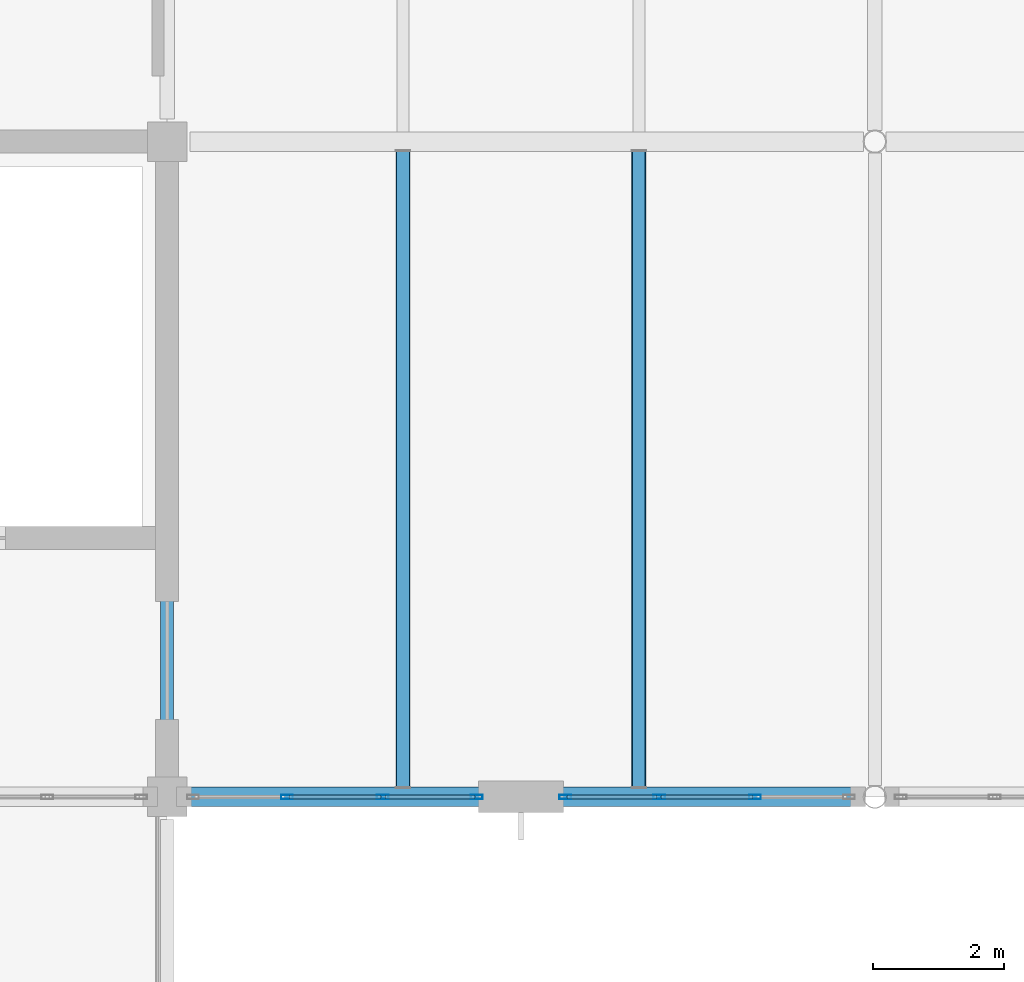
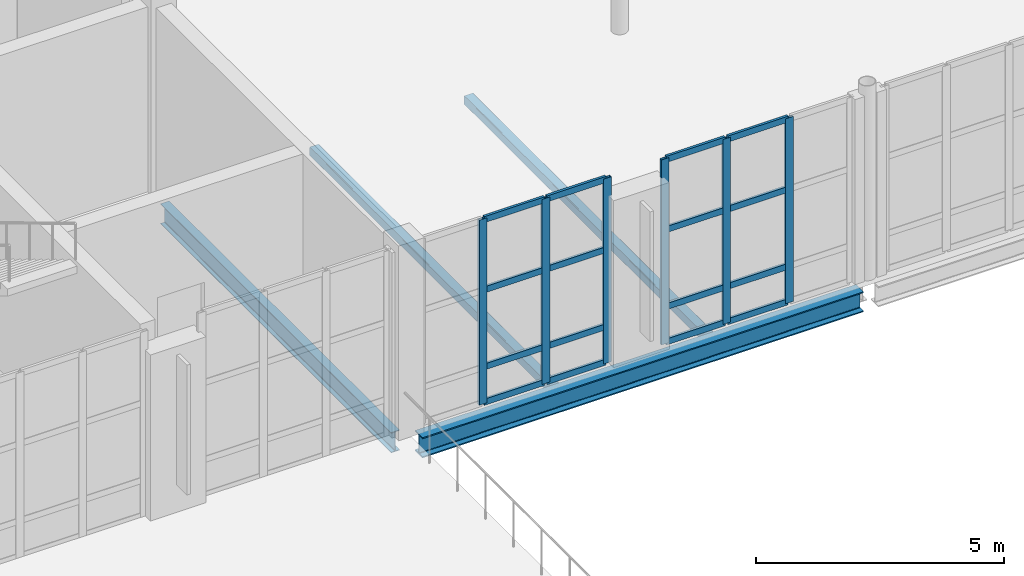
# One storey, part 23 of 100: 22 members, 4 beams, 2 elements without a shape of their own.
"""IFC4 building model written with IfcOpenShell, lengths in metres."""

from ifc_helpers import new_model, si_unit, direction, frame, origin, origin_2d, place, context, subcontext, project, spatial, hollow_rectangle, i_section, extrude, material, layer, layer_set, material_profile, profile_set, type_object, element, aggregate, save


model = new_model("IFC4")

# Units and contexts
model_context = context("Model", 3, precision=1e-05, world=origin(), true_north=direction((0.0, 1.0)))
body_context = subcontext(model_context, "Body", "Model", "MODEL_VIEW")
ifc_project = project(units=[si_unit("LENGTHUNIT", "METRE"), si_unit("AREAUNIT", "SQUARE_METRE"), si_unit("VOLUMEUNIT", "CUBIC_METRE"), si_unit("PLANEANGLEUNIT", "RADIAN"), si_unit("MASSUNIT", "GRAM", prefix="KILO")], contexts=[model_context])

# Site, building, storey
site_placement = place(None, origin())
site = spatial("IfcSite", under=ifc_project, at=site_placement, CompositionType="ELEMENT")
building_placement = place(site_placement, origin())
building = spatial("IfcBuilding", under=site, at=building_placement, Name="Tasgan Crest Museum", CompositionType="ELEMENT")
storey_placement = place(building_placement, frame((0.0, 0.0, 9.60009765625)))
storey = spatial("IfcBuildingStorey", under=building, at=storey_placement, Name="L02", CompositionType="ELEMENT", Elevation=9.60009765625)

# Beams
ifc_material_1 = material(Name="Steel S355J2", Category="steel")
ifc_material_profile_1 = material_profile(ifc_material_1, i_section(OverallWidth=0.300048828125, OverallDepth=0.5, WebThickness=0.014404296875, FlangeThickness=0.028076171875, FilletRadius=0.027099609375, at=origin_2d()), Name="HEB 500")
ifc_profile_set_1 = profile_set([ifc_material_profile_1], Name="Steel S355J2")
beam_type_1 = type_object("IfcBeamType", Name="BM-G-HEB500", PredefinedType="BEAM", material=ifc_profile_set_1)
beam_1_placement = place(storey_placement, frame((54.345947265625, 40.0, -0.489990234375), z_axis=(1.0, 0.0, 0.0), x_axis=(0.0, 1.0, 0.0)))
element("IfcBeam", 1, at=beam_1_placement, inside=storey, type_object=beam_type_1, Name="Girder L02 E 54.0-64.8", PredefinedType="BEAM", context=body_context, shape_type="SweptSolid", body=[
    extrude(i_section(OverallWidth=0.300048828125, OverallDepth=0.5, WebThickness=0.014404296875, FlangeThickness=0.028076171875, FilletRadius=0.027099609375, at=origin_2d()), origin(), (0.0, 0.0, 1.0), 10.2802734375),
])
ifc_material_2 = material(Name="Steel S355J2", Category="steel")
ifc_material_profile_2 = material_profile(ifc_material_2, i_section(OverallWidth=0.199951171875, OverallDepth=0.5, WebThickness=0.01025390625, FlangeThickness=0.01611328125, FilletRadius=0.02099609375, at=origin_2d()), Name="IPE 500")
ifc_profile_set_2 = profile_set([ifc_material_profile_2], Name="Steel S355J2")
beam_type_2 = type_object("IfcBeamType", Name="BM-G-IPE500", PredefinedType="BEAM", material=ifc_profile_set_2)
beam_2_placement = place(storey_placement, frame((54.0, 40.344970703125, -0.510009765625), z_axis=(0.0, 1.0, 0.0), x_axis=(-1.0, 0.0, 0.0)))
element("IfcBeam", 2, at=beam_2_placement, inside=storey, type_object=beam_type_2, Name="Beam L02 6 40.0-50.0", PredefinedType="BEAM", context=body_context, shape_type="SweptSolid", body=[
    extrude(i_section(OverallWidth=0.199951171875, OverallDepth=0.5, WebThickness=0.01025390625, FlangeThickness=0.01611328125, FilletRadius=0.02099609375, at=origin_2d()), origin(), (0.0, 0.0, 1.0), 9.31005859375),
])
ifc_material_3 = material(Name="Steel S355J2", Category="steel")
ifc_material_profile_3 = material_profile(ifc_material_3, hollow_rectangle(XDim=0.219970703125, YDim=0.219970703125, WallThickness=0.012451171875, InnerFilletRadius=0.012451171875, OuterFilletRadius=0.02490234375, at=origin_2d()), Name="SHS 220x220x12.5")
ifc_profile_set_3 = profile_set([ifc_material_profile_3], Name="Steel S355J2")
beam_type_3 = type_object("IfcBeamType", Name="BM-J-SHS220", PredefinedType="JOIST", material=ifc_profile_set_3)
for number, where, z_axis, x_axis, name in (
    (3, (57.60009765625, 40.14501953125, -0.35009765625), (0.0, 1.0, 0.0), (-1.0, 0.0, 0.0), "Secondary joist L02 X=57.6 Y=40.0-50.0"),
    (4, (61.199951171875, 40.14501953125, -0.35009765625), (0.0, 1.0, 0.0), (-1.0, 0.0, 0.0), "Secondary joist L02 X=61.2 Y=40.0-50.0"),
):
    element("IfcBeam", number, at=place(storey_placement, frame(where, z_axis=z_axis, x_axis=x_axis)), inside=storey, type_object=beam_type_3, Name=name, PredefinedType="JOIST", context=body_context, shape_type="SweptSolid", body=[
        extrude(hollow_rectangle(XDim=0.219970703125, YDim=0.219970703125, WallThickness=0.012451171875, InnerFilletRadius=0.012451171875, OuterFilletRadius=0.02490234375, at=origin_2d()), origin(), (0.0, 0.0, 1.0), 9.7099609375),
    ])

# Curtain wall, members
ifc_material_4 = material(Name="Triple-Glazed Aluminium Curtain Wall", Category="aluminium")
ifc_layer = layer(ifc_material_4, 0.179931640625, Name="CW-DRUM-X-48")
ifc_layer_set = layer_set([ifc_layer], Name="Triple-Glazed Aluminium Curtain Wall")
curtain_wall_type = type_object("IfcCurtainWallType", Name="CW-DRUM-X-48", PredefinedType="NOTDEFINED", material=ifc_layer_set)
curtain_wall_1_placement = place(storey_placement, origin())
curtain_wall_1 = element("IfcCurtainWall", 5, at=curtain_wall_1_placement, inside=storey, type_object=curtain_wall_type, Name="Curtain wall L02 101", PredefinedType="NOTDEFINED")
ifc_material_5 = material(Name="Anodised Aluminium", Category="aluminium")
ifc_material_profile_4 = material_profile(ifc_material_5, hollow_rectangle(XDim=0.06494140625, YDim=0.179931640625, WallThickness=0.0048828125, at=origin_2d()), Name="ALU MULLION 180x65x5")
ifc_profile_set_4 = profile_set([ifc_material_profile_4], Name="Anodised Aluminium")
member_type_1 = type_object("IfcMemberType", Name="CW-MULLION-180", PredefinedType="MULLION", material=ifc_profile_set_4)
member_1_placement = place(storey_placement, frame((55.828369140625, 40.0, 0.0), z_axis=(0.0, 0.0, 1.0), x_axis=(0.0, 1.0, 0.0)))
member_1 = element("IfcMember", 6, at=member_1_placement, type_object=member_type_1, Name="CW03 mullion 2", PredefinedType="MULLION", context=body_context, shape_type="SweptSolid", body=[
    extrude(hollow_rectangle(XDim=0.06494140625, YDim=0.179931640625, WallThickness=0.0048828125, at=origin_2d()), origin(), (0.0, 0.0, 1.0), 4.559814453125),
])
member_2_placement = place(storey_placement, frame((57.291748046875, 40.0, 0.0), z_axis=(0.0, 0.0, 1.0), x_axis=(0.0, 1.0, 0.0)))
member_2 = element("IfcMember", 7, at=member_2_placement, type_object=member_type_1, Name="CW03 mullion 3", PredefinedType="MULLION", context=body_context, shape_type="SweptSolid", body=[
    extrude(hollow_rectangle(XDim=0.06494140625, YDim=0.179931640625, WallThickness=0.0048828125, at=origin_2d()), origin(), (0.0, 0.0, 1.0), 4.559814453125),
])
member_3_placement = place(storey_placement, frame((58.72509765625, 40.0, 0.0), z_axis=(0.0, 0.0, 1.0), x_axis=(0.0, 1.0, 0.0)))
member_3 = element("IfcMember", 8, at=member_3_placement, type_object=member_type_1, Name="CW03 mullion 4", PredefinedType="MULLION", context=body_context, shape_type="SweptSolid", body=[
    extrude(hollow_rectangle(XDim=0.06494140625, YDim=0.179931640625, WallThickness=0.0048828125, at=origin_2d()), origin(), (0.0, 0.0, 1.0), 4.559814453125),
])

curtain_wall_2_placement = place(storey_placement, origin())
curtain_wall_2 = element("IfcCurtainWall", 9, at=curtain_wall_2_placement, inside=storey, type_object=curtain_wall_type, Name="Curtain wall L02 102", PredefinedType="NOTDEFINED")
member_4_placement = place(storey_placement, frame((60.074951171875, 40.0, 0.0), z_axis=(0.0, 0.0, 1.0), x_axis=(0.0, 1.0, 0.0)))
member_4 = element("IfcMember", 10, at=member_4_placement, type_object=member_type_1, Name="CW03 mullion 1", PredefinedType="MULLION", context=body_context, shape_type="SweptSolid", body=[
    extrude(hollow_rectangle(XDim=0.06494140625, YDim=0.179931640625, WallThickness=0.0048828125, at=origin_2d()), origin(), (0.0, 0.0, 1.0), 4.559814453125),
])
member_5_placement = place(storey_placement, frame((61.50830078125, 40.0, 0.0), z_axis=(0.0, 0.0, 1.0), x_axis=(0.0, 1.0, 0.0)))
member_5 = element("IfcMember", 11, at=member_5_placement, type_object=member_type_1, Name="CW03 mullion 2", PredefinedType="MULLION", context=body_context, shape_type="SweptSolid", body=[
    extrude(hollow_rectangle(XDim=0.06494140625, YDim=0.179931640625, WallThickness=0.0048828125, at=origin_2d()), origin(), (0.0, 0.0, 1.0), 4.559814453125),
])
member_6_placement = place(storey_placement, frame((62.9716796875, 40.0, 0.0), z_axis=(0.0, 0.0, 1.0), x_axis=(0.0, 1.0, 0.0)))
member_6 = element("IfcMember", 12, at=member_6_placement, type_object=member_type_1, Name="CW03 mullion 3", PredefinedType="MULLION", context=body_context, shape_type="SweptSolid", body=[
    extrude(hollow_rectangle(XDim=0.06494140625, YDim=0.179931640625, WallThickness=0.0048828125, at=origin_2d()), origin(), (0.0, 0.0, 1.0), 4.559814453125),
])

# Member
ifc_material_6 = material(Name="Anodised Aluminium", Category="aluminium")
ifc_material_profile_5 = material_profile(ifc_material_6, hollow_rectangle(XDim=0.06005859375, YDim=0.14990234375, WallThickness=0.0048828125, at=origin_2d()), Name="ALU TRANSOM 150x60x5")
ifc_profile_set_5 = profile_set([ifc_material_profile_5], Name="Anodised Aluminium")
member_type_2 = type_object("IfcMemberType", Name="CW-TRANSOM-150", PredefinedType="USERDEFINED", material=ifc_profile_set_5)
member_7_placement = place(storey_placement, frame((55.8583984375, 40.0, 0.02978515625), z_axis=(1.0, 0.0, 0.0), x_axis=(0.0, 1.0, 0.0)))
member_7 = element("IfcMember", 13, at=member_7_placement, type_object=member_type_2, Name="CW03 transom 2.1", ObjectType="TRANSOM", PredefinedType="USERDEFINED", context=body_context, shape_type="SweptSolid", body=[
    extrude(hollow_rectangle(XDim=0.06005859375, YDim=0.14990234375, WallThickness=0.0048828125, at=origin_2d()), origin(), (0.0, 0.0, 1.0), 1.4033203125),
])

member_8_placement = place(storey_placement, frame((55.8583984375, 40.0, 0.89990234375), z_axis=(1.0, 0.0, 0.0), x_axis=(0.0, 1.0, 0.0)))
member_8 = element("IfcMember", 14, at=member_8_placement, type_object=member_type_2, Name="CW03 transom 2.2", ObjectType="TRANSOM", PredefinedType="USERDEFINED", context=body_context, shape_type="SweptSolid", body=[
    extrude(hollow_rectangle(XDim=0.06005859375, YDim=0.14990234375, WallThickness=0.0048828125, at=origin_2d()), origin(), (0.0, 0.0, 1.0), 1.4033203125),
])

member_9_placement = place(storey_placement, frame((55.8583984375, 40.0, 2.7998046875), z_axis=(1.0, 0.0, 0.0), x_axis=(0.0, 1.0, 0.0)))
member_9 = element("IfcMember", 15, at=member_9_placement, type_object=member_type_2, Name="CW03 transom 2.3", ObjectType="TRANSOM", PredefinedType="USERDEFINED", context=body_context, shape_type="SweptSolid", body=[
    extrude(hollow_rectangle(XDim=0.06005859375, YDim=0.14990234375, WallThickness=0.0048828125, at=origin_2d()), origin(), (0.0, 0.0, 1.0), 1.4033203125),
])

member_10_placement = place(storey_placement, frame((55.8583984375, 40.0, 4.52978515625), z_axis=(1.0, 0.0, 0.0), x_axis=(0.0, 1.0, 0.0)))
member_10 = element("IfcMember", 16, at=member_10_placement, type_object=member_type_2, Name="CW03 transom 2.4", ObjectType="TRANSOM", PredefinedType="USERDEFINED", context=body_context, shape_type="SweptSolid", body=[
    extrude(hollow_rectangle(XDim=0.06005859375, YDim=0.14990234375, WallThickness=0.0048828125, at=origin_2d()), origin(), (0.0, 0.0, 1.0), 1.4033203125),
])

member_11_placement = place(storey_placement, frame((57.32177734375, 40.0, 0.02978515625), z_axis=(1.0, 0.0, 0.0), x_axis=(0.0, 1.0, 0.0)))
member_11 = element("IfcMember", 17, at=member_11_placement, type_object=member_type_2, Name="CW03 transom 3.1", ObjectType="TRANSOM", PredefinedType="USERDEFINED", context=body_context, shape_type="SweptSolid", body=[
    extrude(hollow_rectangle(XDim=0.06005859375, YDim=0.14990234375, WallThickness=0.0048828125, at=origin_2d()), origin(), (0.0, 0.0, 1.0), 1.373291015625),
])

member_12_placement = place(storey_placement, frame((57.32177734375, 40.0, 0.89990234375), z_axis=(1.0, 0.0, 0.0), x_axis=(0.0, 1.0, 0.0)))
member_12 = element("IfcMember", 18, at=member_12_placement, type_object=member_type_2, Name="CW03 transom 3.2", ObjectType="TRANSOM", PredefinedType="USERDEFINED", context=body_context, shape_type="SweptSolid", body=[
    extrude(hollow_rectangle(XDim=0.06005859375, YDim=0.14990234375, WallThickness=0.0048828125, at=origin_2d()), origin(), (0.0, 0.0, 1.0), 1.373291015625),
])

member_13_placement = place(storey_placement, frame((57.32177734375, 40.0, 2.7998046875), z_axis=(1.0, 0.0, 0.0), x_axis=(0.0, 1.0, 0.0)))
member_13 = element("IfcMember", 19, at=member_13_placement, type_object=member_type_2, Name="CW03 transom 3.3", ObjectType="TRANSOM", PredefinedType="USERDEFINED", context=body_context, shape_type="SweptSolid", body=[
    extrude(hollow_rectangle(XDim=0.06005859375, YDim=0.14990234375, WallThickness=0.0048828125, at=origin_2d()), origin(), (0.0, 0.0, 1.0), 1.373291015625),
])

member_14_placement = place(storey_placement, frame((57.32177734375, 40.0, 4.52978515625), z_axis=(1.0, 0.0, 0.0), x_axis=(0.0, 1.0, 0.0)))
member_14 = element("IfcMember", 20, at=member_14_placement, type_object=member_type_2, Name="CW03 transom 3.4", ObjectType="TRANSOM", PredefinedType="USERDEFINED", context=body_context, shape_type="SweptSolid", body=[
    extrude(hollow_rectangle(XDim=0.06005859375, YDim=0.14990234375, WallThickness=0.0048828125, at=origin_2d()), origin(), (0.0, 0.0, 1.0), 1.373291015625),
])

aggregate(curtain_wall_1, [member_1, member_2, member_3, member_7, member_8, member_9, member_10, member_11, member_12, member_13, member_14])

member_15_placement = place(storey_placement, frame((60.10498046875, 40.0, 0.02978515625), z_axis=(1.0, 0.0, 0.0), x_axis=(0.0, 1.0, 0.0)))
member_15 = element("IfcMember", 21, at=member_15_placement, type_object=member_type_2, Name="CW03 transom 1.1", ObjectType="TRANSOM", PredefinedType="USERDEFINED", context=body_context, shape_type="SweptSolid", body=[
    extrude(hollow_rectangle(XDim=0.06005859375, YDim=0.14990234375, WallThickness=0.0048828125, at=origin_2d()), origin(), (0.0, 0.0, 1.0), 1.373291015625),
])

member_16_placement = place(storey_placement, frame((60.10498046875, 40.0, 0.89990234375), z_axis=(1.0, 0.0, 0.0), x_axis=(0.0, 1.0, 0.0)))
member_16 = element("IfcMember", 22, at=member_16_placement, type_object=member_type_2, Name="CW03 transom 1.2", ObjectType="TRANSOM", PredefinedType="USERDEFINED", context=body_context, shape_type="SweptSolid", body=[
    extrude(hollow_rectangle(XDim=0.06005859375, YDim=0.14990234375, WallThickness=0.0048828125, at=origin_2d()), origin(), (0.0, 0.0, 1.0), 1.373291015625),
])

member_17_placement = place(storey_placement, frame((60.10498046875, 40.0, 2.7998046875), z_axis=(1.0, 0.0, 0.0), x_axis=(0.0, 1.0, 0.0)))
member_17 = element("IfcMember", 23, at=member_17_placement, type_object=member_type_2, Name="CW03 transom 1.3", ObjectType="TRANSOM", PredefinedType="USERDEFINED", context=body_context, shape_type="SweptSolid", body=[
    extrude(hollow_rectangle(XDim=0.06005859375, YDim=0.14990234375, WallThickness=0.0048828125, at=origin_2d()), origin(), (0.0, 0.0, 1.0), 1.373291015625),
])

member_18_placement = place(storey_placement, frame((60.10498046875, 40.0, 4.52978515625), z_axis=(1.0, 0.0, 0.0), x_axis=(0.0, 1.0, 0.0)))
member_18 = element("IfcMember", 24, at=member_18_placement, type_object=member_type_2, Name="CW03 transom 1.4", ObjectType="TRANSOM", PredefinedType="USERDEFINED", context=body_context, shape_type="SweptSolid", body=[
    extrude(hollow_rectangle(XDim=0.06005859375, YDim=0.14990234375, WallThickness=0.0048828125, at=origin_2d()), origin(), (0.0, 0.0, 1.0), 1.373291015625),
])

member_19_placement = place(storey_placement, frame((61.538330078125, 40.0, 0.02978515625), z_axis=(1.0, 0.0, 0.0), x_axis=(0.0, 1.0, 0.0)))
member_19 = element("IfcMember", 25, at=member_19_placement, type_object=member_type_2, Name="CW03 transom 2.1", ObjectType="TRANSOM", PredefinedType="USERDEFINED", context=body_context, shape_type="SweptSolid", body=[
    extrude(hollow_rectangle(XDim=0.06005859375, YDim=0.14990234375, WallThickness=0.0048828125, at=origin_2d()), origin(), (0.0, 0.0, 1.0), 1.4033203125),
])

member_20_placement = place(storey_placement, frame((61.538330078125, 40.0, 0.89990234375), z_axis=(1.0, 0.0, 0.0), x_axis=(0.0, 1.0, 0.0)))
member_20 = element("IfcMember", 26, at=member_20_placement, type_object=member_type_2, Name="CW03 transom 2.2", ObjectType="TRANSOM", PredefinedType="USERDEFINED", context=body_context, shape_type="SweptSolid", body=[
    extrude(hollow_rectangle(XDim=0.06005859375, YDim=0.14990234375, WallThickness=0.0048828125, at=origin_2d()), origin(), (0.0, 0.0, 1.0), 1.4033203125),
])

member_21_placement = place(storey_placement, frame((61.538330078125, 40.0, 2.7998046875), z_axis=(1.0, 0.0, 0.0), x_axis=(0.0, 1.0, 0.0)))
member_21 = element("IfcMember", 27, at=member_21_placement, type_object=member_type_2, Name="CW03 transom 2.3", ObjectType="TRANSOM", PredefinedType="USERDEFINED", context=body_context, shape_type="SweptSolid", body=[
    extrude(hollow_rectangle(XDim=0.06005859375, YDim=0.14990234375, WallThickness=0.0048828125, at=origin_2d()), origin(), (0.0, 0.0, 1.0), 1.4033203125),
])

member_22_placement = place(storey_placement, frame((61.538330078125, 40.0, 4.52978515625), z_axis=(1.0, 0.0, 0.0), x_axis=(0.0, 1.0, 0.0)))
member_22 = element("IfcMember", 28, at=member_22_placement, type_object=member_type_2, Name="CW03 transom 2.4", ObjectType="TRANSOM", PredefinedType="USERDEFINED", context=body_context, shape_type="SweptSolid", body=[
    extrude(hollow_rectangle(XDim=0.06005859375, YDim=0.14990234375, WallThickness=0.0048828125, at=origin_2d()), origin(), (0.0, 0.0, 1.0), 1.4033203125),
])

aggregate(curtain_wall_2, [member_4, member_5, member_6, member_15, member_16, member_17, member_18, member_19, member_20, member_21, member_22])

save(model, "model.ifc")
